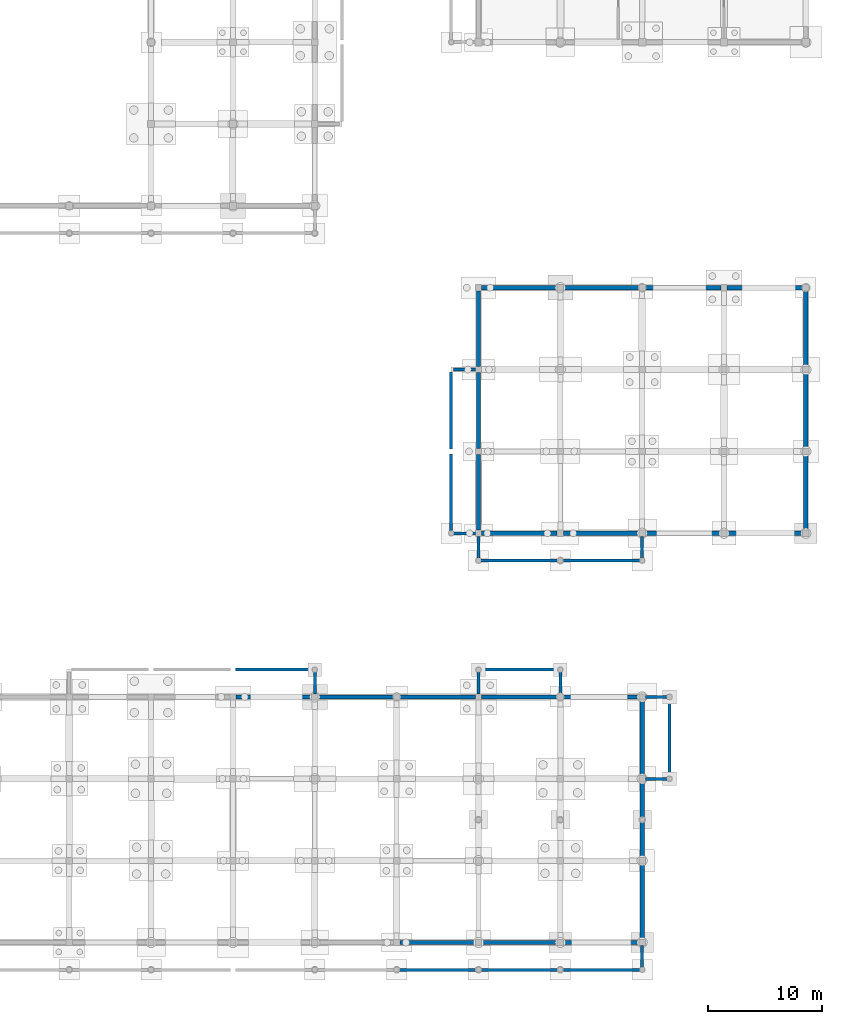
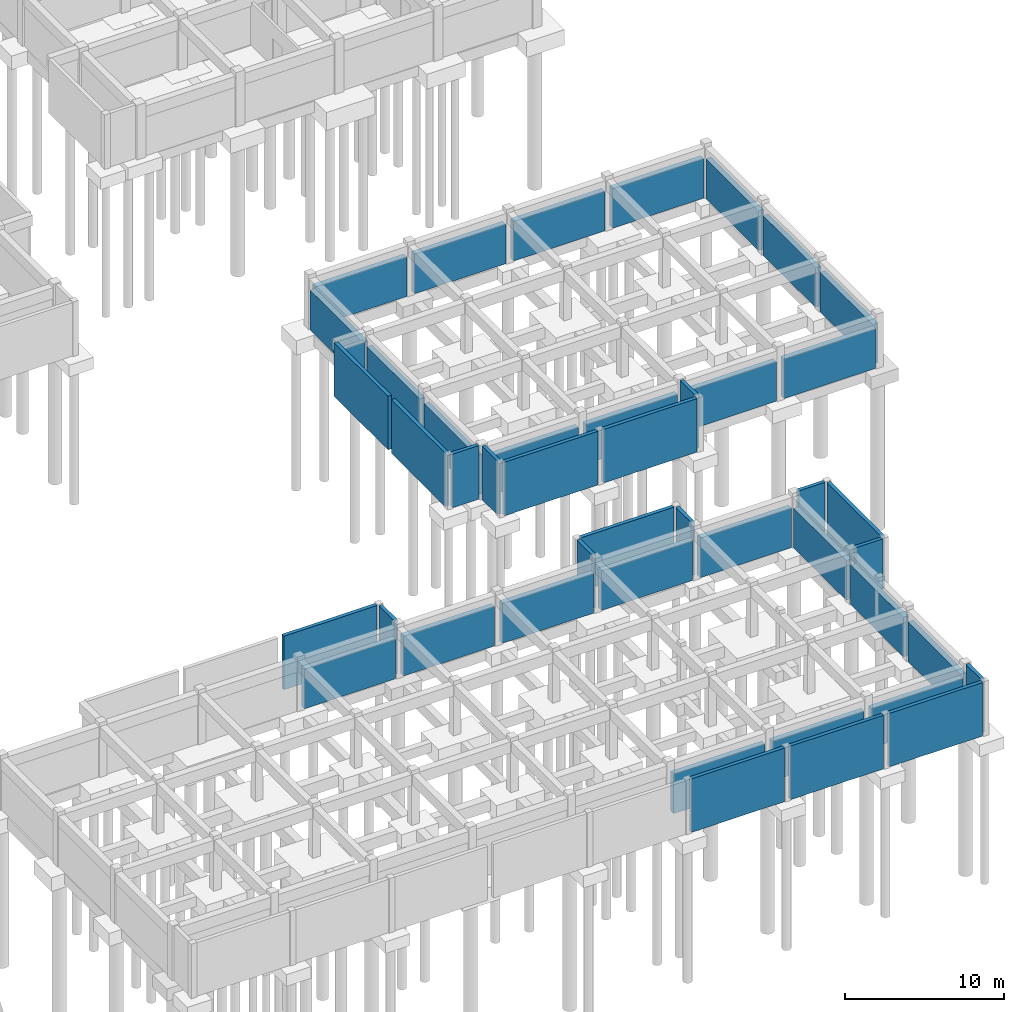
# One storey, part 26 of 38: 45 walls.
"""IFC4 building model written with IfcOpenShell, lengths in metres."""

import ifcopenshell
import ifcopenshell.guid

model = None  # the IFC model being written
_history = None  # IfcOwnerHistory: only IFC2X3 demands one
_inside = {}  # id of a spatial element -> (the spatial element, [elements in it])
_under = {}  # id of a project, library or spatial element -> (it, [spatial elements below it])
_declared = {}  # id of a project -> (the project, [libraries it declares])
_typed = {}  # id of a type object -> (the type object, [elements of that type])
_made_of = {}  # id of a material, layer set ... -> (it, [elements and type objects made of it])


def new_model(schema):
    """Start an empty IFC model of exactly this schema.

    Asked for "IFC4X3", IfcOpenShell would pick the latest addendum, in which some entities
    have other attributes; the version numbers below select the first issue.
    IFC2X3 requires an IfcOwnerHistory on every rooted entity: one is made here for all.
    """
    global model, _history
    if schema == "IFC4X3":
        model = ifcopenshell.file(schema_version=(4, 3, 0, 0))
    else:
        model = ifcopenshell.file(schema=schema)
    _inside.clear()
    _under.clear()
    _declared.clear()
    _typed.clear()
    _made_of.clear()
    _history = None
    if model.schema == "IFC2X3":
        org = make("IfcOrganization", Name="unknown")
        user = make(
            "IfcPersonAndOrganization",
            ThePerson=make("IfcPerson", FamilyName="unknown"),
            TheOrganization=org,
        )
        app = make(
            "IfcApplication",
            ApplicationDeveloper=org,
            Version="unknown",
            ApplicationFullName="unknown",
            ApplicationIdentifier="unknown",
        )
        _history = make(
            "IfcOwnerHistory",
            OwningUser=user,
            OwningApplication=app,
            ChangeAction="ADDED",
            CreationDate=0,
        )
    return model


def make(cls, **values):
    """One entity of the class cls with the attributes given. An attribute that is None is left unset."""
    return model.create_entity(
        cls, **{name: value for name, value in values.items() if value is not None}
    )


def rooted(cls, **values):
    """An entity with a GlobalId (a new one), such as an element, a storey or a relation."""
    return make(cls, GlobalId=ifcopenshell.guid.new(), OwnerHistory=_history, **values)


def si_unit(unit_type, name, prefix=None):
    """IfcSIUnit, for example si_unit("LENGTHUNIT", "METRE", prefix="MILLI")."""
    return make("IfcSIUnit", UnitType=unit_type, Prefix=prefix, Name=name)


def assignment(units):
    """IfcUnitAssignment: the units of a project."""
    return None if units is None else make("IfcUnitAssignment", Units=units)


def point(xyz):
    """IfcCartesianPoint."""
    return None if xyz is None else make("IfcCartesianPoint", Coordinates=xyz)


def direction(xyz):
    """IfcDirection."""
    return None if xyz is None else make("IfcDirection", DirectionRatios=xyz)


def frame(location, z_axis=None, x_axis=None):
    """IfcAxis2Placement3D, a coordinate frame: its origin and axes. An axis left out is left unset."""
    return make(
        "IfcAxis2Placement3D",
        Location=point(location),
        Axis=direction(z_axis),
        RefDirection=direction(x_axis),
    )


def frame_2d(location, x_axis=None):
    """IfcAxis2Placement2D, a coordinate frame in the plane: its origin and x axis."""
    return make(
        "IfcAxis2Placement2D", Location=point(location), RefDirection=direction(x_axis)
    )


def origin():
    """The frame at (0, 0, 0) with its axes left unset."""
    return frame((0.0, 0.0, 0.0))


def place(relative_to, where):
    """IfcLocalPlacement: puts the frame where relative to a parent placement (None: the world)."""
    return make(
        "IfcLocalPlacement", PlacementRelTo=relative_to, RelativePlacement=where
    )


def context(
    kind, dimensions, precision=None, world=None, true_north=None, identifier=None
):
    """IfcGeometricRepresentationContext, for example the 3D "Model" context."""
    return make(
        "IfcGeometricRepresentationContext",
        ContextIdentifier=identifier,
        ContextType=kind,
        CoordinateSpaceDimension=dimensions,
        Precision=precision,
        WorldCoordinateSystem=world,
        TrueNorth=true_north,
    )


def subcontext(parent, identifier, kind, view, scale=None):
    """IfcGeometricRepresentationSubContext, for example "Body" below "Model"."""
    return make(
        "IfcGeometricRepresentationSubContext",
        ContextIdentifier=identifier,
        ContextType=kind,
        ParentContext=parent,
        TargetScale=scale,
        TargetView=view,
    )


def project(units=None, contexts=None):
    """IfcProject with its units and contexts."""
    return rooted(
        "IfcProject",
        Name="project",
        RepresentationContexts=contexts,
        UnitsInContext=assignment(units),
    )


def spatial(cls, under=None, at=None, **own):
    """A site, building, storey or space (cls), placed at a placement, below another one or the project."""
    s = rooted(cls, ObjectPlacement=at, **own)
    if under is not None:
        _under.setdefault(under.id(), (under, []))[1].append(s)
    return s


def profile(cls, at=None, kind="AREA", **sizes):
    """A parametric profile (cls). Its sizes go by their IFC names, for example OverallWidth=200.0."""
    return make(cls, ProfileType=kind, Position=at, **sizes)


def rectangle(**sizes):
    """IfcRectangleProfileDef."""
    return profile("IfcRectangleProfileDef", **sizes)


def extrude(swept, where, along, depth):
    """IfcExtrudedAreaSolid: the profile swept, set in the frame where, extruded along a direction by depth."""
    return make(
        "IfcExtrudedAreaSolid",
        SweptArea=swept,
        Position=where,
        ExtrudedDirection=direction(along),
        Depth=depth,
    )


def shape(context_of_items, identifier, shape_type, items):
    """IfcShapeRepresentation: the items that make up one representation, for example the "Body"."""
    return make(
        "IfcShapeRepresentation",
        ContextOfItems=context_of_items,
        RepresentationIdentifier=identifier,
        RepresentationType=shape_type,
        Items=items,
    )


def material(Name=None, Category=None):
    """IfcMaterial."""
    return make("IfcMaterial", Name=Name, Category=Category)


def layer(
    of_material, thickness, ventilated=None, Name=None, Category=None, Priority=None
):
    """IfcMaterialLayer: one layer of a wall or slab, of a material (None: an air gap)."""
    return make(
        "IfcMaterialLayer",
        Material=of_material,
        LayerThickness=thickness,
        IsVentilated=ventilated,
        Name=Name,
        Category=Category,
        Priority=Priority,
    )


def layer_set(layers, Name=None):
    """IfcMaterialLayerSet."""
    return make("IfcMaterialLayerSet", MaterialLayers=layers, LayerSetName=Name)


def made_of(thing, what):
    """Note that an element or type object is made of a material, layer set ...; save() writes the relation."""
    if what is not None:
        _made_of.setdefault(what.id(), (what, []))[1].append(thing)
    return thing


def type_object(cls, material=None, **own):
    """A type object (cls), such as IfcWallType, which elements share."""
    return made_of(rooted(cls, **own), material)


def element(
    cls,
    number,
    at=None,
    inside=None,
    cuts=None,
    type_object=None,
    material=None,
    context=None,
    identifier="Body",
    shape_type=None,
    held_by="IfcProductDefinitionShape",
    body=None,
    shapes=None,
    **own,
):
    """One element of the class cls, such as IfcWall. Its Tag is "e" and its number.

    at: its placement. inside: the storey or other place that contains it. cuts: it is an
    opening in that element (IfcRelVoidsElement). A single representation is given by context,
    identifier, shape_type and body (its items); several are given by shapes. held_by: the class
    of the entity that holds the representations. save() writes the other relations.
    """
    e = rooted(cls, Tag="e%d" % number, ObjectPlacement=at, **own)
    if body is not None:
        shapes = [shape(context, identifier, shape_type, body)]
    if shapes is not None:
        e.Representation = make(held_by, Representations=shapes)
    if inside is not None:
        _inside.setdefault(inside.id(), (inside, []))[1].append(e)
    if cuts is not None:
        rooted(
            "IfcRelVoidsElement", RelatingBuildingElement=cuts, RelatedOpeningElement=e
        )
    if type_object is not None:
        _typed.setdefault(type_object.id(), (type_object, []))[1].append(e)
    return made_of(e, material)


def aggregate(whole, parts):
    """IfcRelAggregates: a whole, such as a stair, and the parts it consists of."""
    return rooted("IfcRelAggregates", RelatingObject=whole, RelatedObjects=parts)


def save(model, path):
    """Write the relations noted so far, then the file.

    IfcRelAggregates (storeys below a building ...), IfcRelContainedInSpatialStructure (elements
    in a storey), IfcRelDefinesByType, IfcRelAssociatesMaterial and IfcRelDeclares: one each for
    every whole, place, type object, material and project.
    """
    for whole, parts in _under.values():
        aggregate(whole, parts)
    for where, things in _inside.values():
        rooted(
            "IfcRelContainedInSpatialStructure",
            RelatedElements=things,
            RelatingStructure=where,
        )
    for kind, things in _typed.values():
        rooted("IfcRelDefinesByType", RelatedObjects=things, RelatingType=kind)
    for what, things in _made_of.values():
        rooted("IfcRelAssociatesMaterial", RelatedObjects=things, RelatingMaterial=what)
    for by, libraries in _declared.values():
        rooted("IfcRelDeclares", RelatingContext=by, RelatedDefinitions=libraries)
    model.write(path)


model = new_model("IFC4")

# Units and contexts
model_context = context("Model", 3, precision=1e-05, world=origin(), true_north=direction((0.0, 1.0)))
body_context = subcontext(model_context, "Body", "Model", "MODEL_VIEW")
ifc_project = project(units=[si_unit("LENGTHUNIT", "METRE"), si_unit("AREAUNIT", "SQUARE_METRE"), si_unit("VOLUMEUNIT", "CUBIC_METRE"), si_unit("PLANEANGLEUNIT", "RADIAN"), si_unit("MASSUNIT", "GRAM", prefix="KILO"), si_unit("THERMODYNAMICTEMPERATUREUNIT", "KELVIN"), si_unit("POWERUNIT", "WATT")], contexts=[model_context])

# Site, building, storey
site_placement = place(None, origin())
site = spatial("IfcSite", under=ifc_project, at=site_placement, CompositionType="ELEMENT")
building_placement = place(site_placement, origin())
building = spatial("IfcBuilding", under=site, at=building_placement, Name="Tavuni Mirador Residences", CompositionType="ELEMENT")
storey_placement = place(building_placement, frame((0.0, 0.0, -4.199951171875)))
storey = spatial("IfcBuildingStorey", under=building, at=storey_placement, Name="B1", CompositionType="ELEMENT", Elevation=-4.199951171875)

# Walls
ifc_material_1 = material(Name="In-situ concrete C35/45", Category="concrete")
ifc_layer_1 = layer(ifc_material_1, 0.3798828125, Name="In-situ concrete C35/45", Category="concrete")
ifc_layer_set_1 = layer_set([ifc_layer_1], Name="In-situ concrete C35/45")
wall_type_1 = type_object("IfcWallType", Name="WT-RET380", PredefinedType="USERDEFINED", material=ifc_layer_set_1)
for number, where, z_axis, x_axis, name in (
    (1, (90.27490234375, 43.199951171875, 0.0), (0.0, 0.0, 1.0), (1.0, 0.0, 0.0), "RET-PAV-NURS-S-00"),
    (2, (96.925048828125, 64.800048828125, 0.0), (0.0, 0.0, 1.0), (-1.0, 0.0, 0.0), "RET-PAV-NURS-N-00"),
):
    element("IfcWall", number, at=place(storey_placement, frame(where, z_axis=z_axis, x_axis=x_axis)), inside=storey, type_object=wall_type_1, Name=name, ObjectType="RETAINING WALL", PredefinedType="USERDEFINED", context=body_context, shape_type="SweptSolid", body=[
        extrude(rectangle(XDim=6.650146484375, YDim=0.3798828125, at=frame_2d((3.3251953125, 0.0))), origin(), (0.0, 0.0, 1.0), 3.050048828125),
    ])
for number, where, z_axis, x_axis, name in (
    (3, (97.47509765625, 43.199951171875, 0.0), (0.0, 0.0, 1.0), (1.0, 0.0, 0.0), "RET-PAV-NURS-S-01"),
    (4, (104.125, 64.800048828125, 0.0), (0.0, 0.0, 1.0), (-1.0, 0.0, 0.0), "RET-PAV-NURS-N-01"),
    (5, (104.675048828125, 43.199951171875, 0.0), (0.0, 0.0, 1.0), (1.0, 0.0, 0.0), "RET-PAV-NURS-S-02"),
    (6, (111.324951171875, 64.800048828125, 0.0), (0.0, 0.0, 1.0), (-1.0, 0.0, 0.0), "RET-PAV-NURS-N-02"),
    (7, (111.875, 43.199951171875, 0.0), (0.0, 0.0, 1.0), (1.0, 0.0, 0.0), "RET-PAV-NURS-S-03"),
    (8, (118.52490234375, 64.800048828125, 0.0), (0.0, 0.0, 1.0), (-1.0, 0.0, 0.0), "RET-PAV-NURS-N-03"),
    (9, (118.800048828125, 43.47509765625, 0.0), (0.0, 0.0, 1.0), (0.0, 1.0, 0.0), "RET-PAV-NURS-E-00"),
    (10, (90.0, 50.125, 0.0), (0.0, 0.0, 1.0), (0.0, -1.0, 0.0), "RET-PAV-NURS-W-00"),
    (11, (118.800048828125, 50.675048828125, 0.0), (0.0, 0.0, 1.0), (0.0, 1.0, 0.0), "RET-PAV-NURS-E-01"),
    (12, (90.0, 57.324951171875, 0.0), (0.0, 0.0, 1.0), (0.0, -1.0, 0.0), "RET-PAV-NURS-W-01"),
    (13, (118.800048828125, 57.875, 0.0), (0.0, 0.0, 1.0), (0.0, 1.0, 0.0), "RET-PAV-NURS-E-02"),
    (14, (90.0, 64.52490234375, 0.0), (0.0, 0.0, 1.0), (0.0, -1.0, 0.0), "RET-PAV-NURS-W-02"),
    (15, (75.324951171875, 28.800048828125, 0.0), (0.0, 0.0, 1.0), (-1.0, 0.0, 0.0), "RET-PAV-SHOP-N-03"),
    (16, (82.52490234375, 28.800048828125, 0.0), (0.0, 0.0, 1.0), (-1.0, 0.0, 0.0), "RET-PAV-SHOP-N-04"),
):
    element("IfcWall", number, at=place(storey_placement, frame(where, z_axis=z_axis, x_axis=x_axis)), inside=storey, type_object=wall_type_1, Name=name, ObjectType="RETAINING WALL", PredefinedType="USERDEFINED", context=body_context, shape_type="SweptSolid", body=[
        extrude(rectangle(XDim=6.64990234375, YDim=0.3798828125, at=frame_2d((3.324951171875, 0.0))), origin(), (0.0, 0.0, 1.0), 3.050048828125),
    ])
for number, where, z_axis, x_axis, name in (
    (17, (83.074951171875, 7.199951171875, 0.0), (0.0, 0.0, 1.0), (1.0, 0.0, 0.0), "RET-PAV-SHOP-S-05"),
    (18, (89.72509765625, 28.800048828125, 0.0), (0.0, 0.0, 1.0), (-1.0, 0.0, 0.0), "RET-PAV-SHOP-N-05"),
    (19, (90.27490234375, 7.199951171875, 0.0), (0.0, 0.0, 1.0), (1.0, 0.0, 0.0), "RET-PAV-SHOP-S-06"),
    (20, (96.925048828125, 28.800048828125, 0.0), (0.0, 0.0, 1.0), (-1.0, 0.0, 0.0), "RET-PAV-SHOP-N-06"),
):
    element("IfcWall", number, at=place(storey_placement, frame(where, z_axis=z_axis, x_axis=x_axis)), inside=storey, type_object=wall_type_1, Name=name, ObjectType="RETAINING WALL", PredefinedType="USERDEFINED", context=body_context, shape_type="SweptSolid", body=[
        extrude(rectangle(XDim=6.650146484375, YDim=0.3798828125, at=frame_2d((3.3251953125, 0.0))), origin(), (0.0, 0.0, 1.0), 3.050048828125),
    ])
for number, where, z_axis, x_axis, name in (
    (21, (97.47509765625, 7.199951171875, 0.0), (0.0, 0.0, 1.0), (1.0, 0.0, 0.0), "RET-PAV-SHOP-S-07"),
    (22, (104.125, 28.800048828125, 0.0), (0.0, 0.0, 1.0), (-1.0, 0.0, 0.0), "RET-PAV-SHOP-N-07"),
    (23, (104.39990234375, 7.47509765625, 0.0), (0.0, 0.0, 1.0), (0.0, 1.0, 0.0), "RET-PAV-SHOP-E-00"),
    (24, (104.39990234375, 14.675048828125, 0.0), (0.0, 0.0, 1.0), (0.0, 1.0, 0.0), "RET-PAV-SHOP-E-01"),
    (25, (104.39990234375, 21.875, 0.0), (0.0, 0.0, 1.0), (0.0, 1.0, 0.0), "RET-PAV-SHOP-E-02"),
):
    element("IfcWall", number, at=place(storey_placement, frame(where, z_axis=z_axis, x_axis=x_axis)), inside=storey, type_object=wall_type_1, Name=name, ObjectType="RETAINING WALL", PredefinedType="USERDEFINED", context=body_context, shape_type="SweptSolid", body=[
        extrude(rectangle(XDim=6.64990234375, YDim=0.3798828125, at=frame_2d((3.324951171875, 0.0))), origin(), (0.0, 0.0, 1.0), 3.050048828125),
    ])
ifc_material_2 = material(Name="Precast concrete C40/50", Category="concrete")
ifc_layer_2 = layer(ifc_material_2, 0.264892578125, Name="Precast concrete C40/50", Category="concrete")
ifc_layer_set_2 = layer_set([ifc_layer_2], Name="Precast concrete C40/50")
wall_type_2 = type_object("IfcWallType", Name="WT-XW265", PredefinedType="SOLIDWALL", material=ifc_layer_set_2)
for number, where, z_axis, x_axis, name in (
    (26, (90.2099609375, 40.800048828125, 0.0), (0.0, 0.0, 1.0), (1.0, 0.0, 0.0), "RET-APR-NURS-S-S0"),
    (27, (97.409912109375, 40.800048828125, 0.0), (0.0, 0.0, 1.0), (1.0, 0.0, 0.0), "RET-APR-NURS-S-S1"),
):
    element("IfcWall", number, at=place(storey_placement, frame(where, z_axis=z_axis, x_axis=x_axis)), inside=storey, type_object=wall_type_2, Name=name, PredefinedType="SOLIDWALL", context=body_context, shape_type="SweptSolid", body=[
        extrude(rectangle(XDim=6.780029296875, YDim=0.264892578125, at=frame_2d((3.39013671875, 0.0))), origin(), (0.0, 0.0, 1.0), 4.119873046875),
    ])
for number, where, z_axis, x_axis, name in (
    (28, (104.39990234375, 41.010009765625, 0.0), (0.0, 0.0, 1.0), (0.0, 1.0, 0.0), "RET-APR-NURS-S-E0"),
    (29, (90.0, 42.925048828125, 0.0), (0.0, 0.0, 1.0), (0.0, -1.0, 0.0), "RET-APR-NURS-S-W0"),
    (30, (87.81005859375, 43.199951171875, 0.0), (0.0, 0.0, 1.0), (1.0, 0.0, 0.0), "RET-APR-NURS-W-S0"),
):
    element("IfcWall", number, at=place(storey_placement, frame(where, z_axis=z_axis, x_axis=x_axis)), inside=storey, type_object=wall_type_2, Name=name, PredefinedType="SOLIDWALL", context=body_context, shape_type="SweptSolid", body=[
        extrude(rectangle(XDim=1.9150390625, YDim=0.264892578125, at=frame_2d((0.95751953125, 0.0))), origin(), (0.0, 0.0, 1.0), 4.119873046875),
    ])
wall_1_placement = place(storey_placement, frame((89.72509765625, 57.60009765625, 0.0), z_axis=(0.0, 0.0, 1.0), x_axis=(-1.0, 0.0, 0.0)))
element("IfcWall", 31, at=wall_1_placement, inside=storey, type_object=wall_type_2, Name="RET-APR-NURS-W-N0", PredefinedType="SOLIDWALL", context=body_context, shape_type="SweptSolid", body=[
    extrude(rectangle(XDim=1.9150390625, YDim=0.264892578125, at=frame_2d((0.95751953125, 0.0))), origin(), (0.0, 0.0, 1.0), 3.349853515625),
])
wall_2_placement = place(storey_placement, frame((87.60009765625, 57.389892578125, 0.0), z_axis=(0.0, 0.0, 1.0), x_axis=(0.0, -1.0, 0.0)))
element("IfcWall", 32, at=wall_2_placement, inside=storey, type_object=wall_type_2, Name="RET-APR-NURS-W-W0", PredefinedType="SOLIDWALL", context=body_context, shape_type="SweptSolid", body=[
    extrude(rectangle(XDim=6.77978515625, YDim=0.264892578125, at=frame_2d((3.389892578125, 0.0))), origin(), (0.0, 0.0, 1.0), 4.119873046875),
])
for number, where, z_axis, x_axis, name in (
    (33, (87.60009765625, 50.18994140625, 0.0), (0.0, 0.0, 1.0), (0.0, -1.0, 0.0), "RET-APR-NURS-W-W1"),
    (34, (83.010009765625, 4.800048828125, 0.0), (0.0, 0.0, 1.0), (1.0, 0.0, 0.0), "RET-APR-SHOP-S-S5"),
    (35, (90.2099609375, 4.800048828125, 0.0), (0.0, 0.0, 1.0), (1.0, 0.0, 0.0), "RET-APR-SHOP-S-S6"),
    (36, (97.409912109375, 4.800048828125, 0.0), (0.0, 0.0, 1.0), (1.0, 0.0, 0.0), "RET-APR-SHOP-S-S7"),
):
    element("IfcWall", number, at=place(storey_placement, frame(where, z_axis=z_axis, x_axis=x_axis)), inside=storey, type_object=wall_type_2, Name=name, PredefinedType="SOLIDWALL", context=body_context, shape_type="SweptSolid", body=[
        extrude(rectangle(XDim=6.780029296875, YDim=0.264892578125, at=frame_2d((3.39013671875, 0.0))), origin(), (0.0, 0.0, 1.0), 4.119873046875),
    ])
for number, where, z_axis, x_axis, name in (
    (37, (104.39990234375, 5.010009765625, 0.0), (0.0, 0.0, 1.0), (0.0, 1.0, 0.0), "RET-APR-SHOP-S-E0"),
    (38, (75.60009765625, 29.074951171875, 0.0), (0.0, 0.0, 1.0), (0.0, 1.0, 0.0), "RET-APR-SHOP-N-E0"),
):
    element("IfcWall", number, at=place(storey_placement, frame(where, z_axis=z_axis, x_axis=x_axis)), inside=storey, type_object=wall_type_2, Name=name, PredefinedType="SOLIDWALL", context=body_context, shape_type="SweptSolid", body=[
        extrude(rectangle(XDim=1.9150390625, YDim=0.264892578125, at=frame_2d((0.95751953125, 0.0))), origin(), (0.0, 0.0, 1.0), 4.119873046875),
    ])
wall_3_placement = place(storey_placement, frame((75.389892578125, 31.199951171875, 0.0), z_axis=(0.0, 0.0, 1.0), x_axis=(-1.0, 0.0, 0.0)))
element("IfcWall", 39, at=wall_3_placement, inside=storey, type_object=wall_type_2, Name="RET-APR-SHOP-N-N0", PredefinedType="SOLIDWALL", context=body_context, shape_type="SweptSolid", body=[
    extrude(rectangle(XDim=6.77978515625, YDim=0.264892578125, at=frame_2d((3.389892578125, 0.0))), origin(), (0.0, 0.0, 1.0), 4.119873046875),
])
wall_4_placement = place(storey_placement, frame((97.199951171875, 29.074951171875, 0.0), z_axis=(0.0, 0.0, 1.0), x_axis=(0.0, 1.0, 0.0)))
element("IfcWall", 40, at=wall_4_placement, inside=storey, type_object=wall_type_2, Name="RET-APR-SHOP-CPN-E0", PredefinedType="SOLIDWALL", context=body_context, shape_type="SweptSolid", body=[
    extrude(rectangle(XDim=1.9150390625, YDim=0.264892578125, at=frame_2d((0.95751953125, 0.0))), origin(), (0.0, 0.0, 1.0), 4.119873046875),
])
wall_5_placement = place(storey_placement, frame((96.989990234375, 31.199951171875, 0.0), z_axis=(0.0, 0.0, 1.0), x_axis=(-1.0, 0.0, 0.0)))
element("IfcWall", 41, at=wall_5_placement, inside=storey, type_object=wall_type_2, Name="RET-APR-SHOP-CPN-N0", PredefinedType="SOLIDWALL", context=body_context, shape_type="SweptSolid", body=[
    extrude(rectangle(XDim=6.780029296875, YDim=0.264892578125, at=frame_2d((3.39013671875, 0.0))), origin(), (0.0, 0.0, 1.0), 4.119873046875),
])
for number, where, z_axis, x_axis, name in (
    (42, (90.0, 30.989990234375, 0.0), (0.0, 0.0, 1.0), (0.0, -1.0, 0.0), "RET-APR-SHOP-CPN-W0"),
    (43, (104.675048828125, 21.60009765625, 0.0), (0.0, 0.0, 1.0), (1.0, 0.0, 0.0), "RET-APR-SHOP-E-S0"),
):
    element("IfcWall", number, at=place(storey_placement, frame(where, z_axis=z_axis, x_axis=x_axis)), inside=storey, type_object=wall_type_2, Name=name, PredefinedType="SOLIDWALL", context=body_context, shape_type="SweptSolid", body=[
        extrude(rectangle(XDim=1.9150390625, YDim=0.264892578125, at=frame_2d((0.95751953125, 0.0))), origin(), (0.0, 0.0, 1.0), 4.119873046875),
    ])
wall_6_placement = place(storey_placement, frame((106.800048828125, 21.81005859375, 0.0), z_axis=(0.0, 0.0, 1.0), x_axis=(0.0, 1.0, 0.0)))
element("IfcWall", 44, at=wall_6_placement, inside=storey, type_object=wall_type_2, Name="RET-APR-SHOP-E-E0", PredefinedType="SOLIDWALL", context=body_context, shape_type="SweptSolid", body=[
    extrude(rectangle(XDim=6.780029296875, YDim=0.264892578125, at=frame_2d((3.39013671875, 0.0))), origin(), (0.0, 0.0, 1.0), 4.119873046875),
])
wall_7_placement = place(storey_placement, frame((106.590087890625, 28.800048828125, 0.0), z_axis=(0.0, 0.0, 1.0), x_axis=(-1.0, 0.0, 0.0)))
element("IfcWall", 45, at=wall_7_placement, inside=storey, type_object=wall_type_2, Name="RET-APR-SHOP-E-N0", PredefinedType="SOLIDWALL", context=body_context, shape_type="SweptSolid", body=[
    extrude(rectangle(XDim=1.9150390625, YDim=0.264892578125, at=frame_2d((0.95751953125, 0.0))), origin(), (0.0, 0.0, 1.0), 4.119873046875),
])

save(model, "model.ifc")
